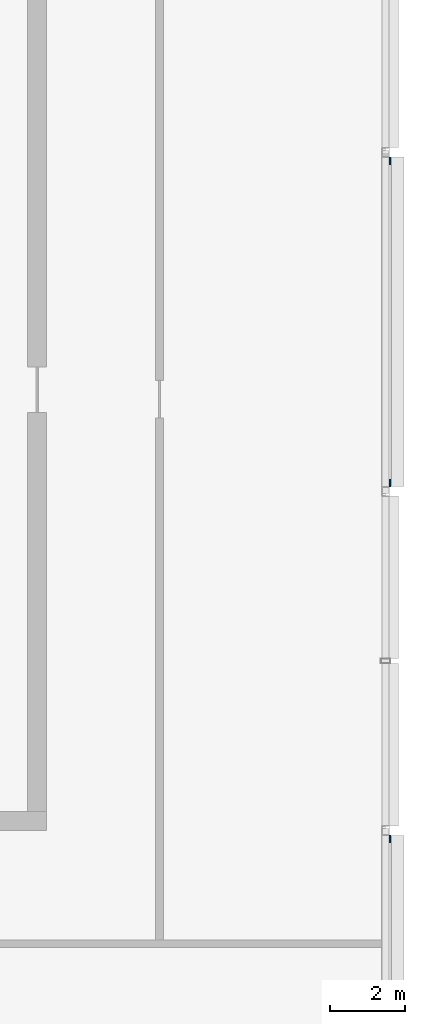
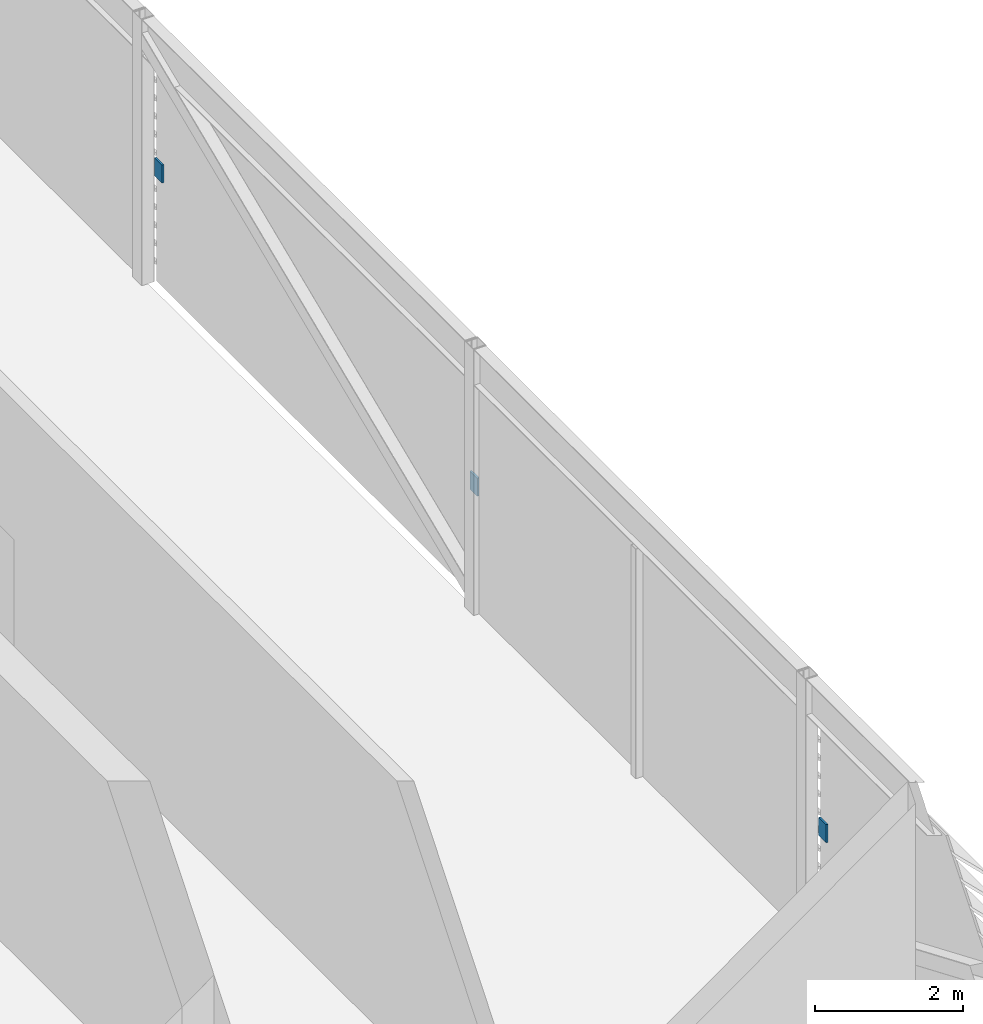
# One storey, part 21 of 27: 3 discrete accessories.
"""IFC4 building model written with IfcOpenShell, lengths in metres."""

import ifcopenshell
import ifcopenshell.guid

model = None  # the IFC model being written
_history = None  # IfcOwnerHistory: only IFC2X3 demands one
_inside = {}  # id of a spatial element -> (the spatial element, [elements in it])
_under = {}  # id of a project, library or spatial element -> (it, [spatial elements below it])
_declared = {}  # id of a project -> (the project, [libraries it declares])
_typed = {}  # id of a type object -> (the type object, [elements of that type])
_made_of = {}  # id of a material, layer set ... -> (it, [elements and type objects made of it])


def new_model(schema):
    """Start an empty IFC model of exactly this schema.

    Asked for "IFC4X3", IfcOpenShell would pick the latest addendum, in which some entities
    have other attributes; the version numbers below select the first issue.
    IFC2X3 requires an IfcOwnerHistory on every rooted entity: one is made here for all.
    """
    global model, _history
    if schema == "IFC4X3":
        model = ifcopenshell.file(schema_version=(4, 3, 0, 0))
    else:
        model = ifcopenshell.file(schema=schema)
    _inside.clear()
    _under.clear()
    _declared.clear()
    _typed.clear()
    _made_of.clear()
    _history = None
    if model.schema == "IFC2X3":
        org = make("IfcOrganization", Name="unknown")
        user = make(
            "IfcPersonAndOrganization",
            ThePerson=make("IfcPerson", FamilyName="unknown"),
            TheOrganization=org,
        )
        app = make(
            "IfcApplication",
            ApplicationDeveloper=org,
            Version="unknown",
            ApplicationFullName="unknown",
            ApplicationIdentifier="unknown",
        )
        _history = make(
            "IfcOwnerHistory",
            OwningUser=user,
            OwningApplication=app,
            ChangeAction="ADDED",
            CreationDate=0,
        )
    return model


def make(cls, **values):
    """One entity of the class cls with the attributes given. An attribute that is None is left unset."""
    return model.create_entity(
        cls, **{name: value for name, value in values.items() if value is not None}
    )


def rooted(cls, **values):
    """An entity with a GlobalId (a new one), such as an element, a storey or a relation."""
    return make(cls, GlobalId=ifcopenshell.guid.new(), OwnerHistory=_history, **values)


def si_unit(unit_type, name, prefix=None):
    """IfcSIUnit, for example si_unit("LENGTHUNIT", "METRE", prefix="MILLI")."""
    return make("IfcSIUnit", UnitType=unit_type, Prefix=prefix, Name=name)


def assignment(units):
    """IfcUnitAssignment: the units of a project."""
    return None if units is None else make("IfcUnitAssignment", Units=units)


def point(xyz):
    """IfcCartesianPoint."""
    return None if xyz is None else make("IfcCartesianPoint", Coordinates=xyz)


def direction(xyz):
    """IfcDirection."""
    return None if xyz is None else make("IfcDirection", DirectionRatios=xyz)


def frame(location, z_axis=None, x_axis=None):
    """IfcAxis2Placement3D, a coordinate frame: its origin and axes. An axis left out is left unset."""
    return make(
        "IfcAxis2Placement3D",
        Location=point(location),
        Axis=direction(z_axis),
        RefDirection=direction(x_axis),
    )


def frame_2d(location, x_axis=None):
    """IfcAxis2Placement2D, a coordinate frame in the plane: its origin and x axis."""
    return make(
        "IfcAxis2Placement2D", Location=point(location), RefDirection=direction(x_axis)
    )


def origin():
    """The frame at (0, 0, 0) with its axes left unset."""
    return frame((0.0, 0.0, 0.0))


def origin_2d():
    """The frame at (0, 0) in the plane with its x axis left unset."""
    return frame_2d((0.0, 0.0))


def place(relative_to, where):
    """IfcLocalPlacement: puts the frame where relative to a parent placement (None: the world)."""
    return make(
        "IfcLocalPlacement", PlacementRelTo=relative_to, RelativePlacement=where
    )


def context(
    kind, dimensions, precision=None, world=None, true_north=None, identifier=None
):
    """IfcGeometricRepresentationContext, for example the 3D "Model" context."""
    return make(
        "IfcGeometricRepresentationContext",
        ContextIdentifier=identifier,
        ContextType=kind,
        CoordinateSpaceDimension=dimensions,
        Precision=precision,
        WorldCoordinateSystem=world,
        TrueNorth=true_north,
    )


def subcontext(parent, identifier, kind, view, scale=None):
    """IfcGeometricRepresentationSubContext, for example "Body" below "Model"."""
    return make(
        "IfcGeometricRepresentationSubContext",
        ContextIdentifier=identifier,
        ContextType=kind,
        ParentContext=parent,
        TargetScale=scale,
        TargetView=view,
    )


def project(units=None, contexts=None):
    """IfcProject with its units and contexts."""
    return rooted(
        "IfcProject",
        Name="project",
        RepresentationContexts=contexts,
        UnitsInContext=assignment(units),
    )


def spatial(cls, under=None, at=None, **own):
    """A site, building, storey or space (cls), placed at a placement, below another one or the project."""
    s = rooted(cls, ObjectPlacement=at, **own)
    if under is not None:
        _under.setdefault(under.id(), (under, []))[1].append(s)
    return s


def profile(cls, at=None, kind="AREA", **sizes):
    """A parametric profile (cls). Its sizes go by their IFC names, for example OverallWidth=200.0."""
    return make(cls, ProfileType=kind, Position=at, **sizes)


def rectangle(**sizes):
    """IfcRectangleProfileDef."""
    return profile("IfcRectangleProfileDef", **sizes)


def extrude(swept, where, along, depth):
    """IfcExtrudedAreaSolid: the profile swept, set in the frame where, extruded along a direction by depth."""
    return make(
        "IfcExtrudedAreaSolid",
        SweptArea=swept,
        Position=where,
        ExtrudedDirection=direction(along),
        Depth=depth,
    )


def shape(context_of_items, identifier, shape_type, items):
    """IfcShapeRepresentation: the items that make up one representation, for example the "Body"."""
    return make(
        "IfcShapeRepresentation",
        ContextOfItems=context_of_items,
        RepresentationIdentifier=identifier,
        RepresentationType=shape_type,
        Items=items,
    )


def material(Name=None, Category=None):
    """IfcMaterial."""
    return make("IfcMaterial", Name=Name, Category=Category)


def made_of(thing, what):
    """Note that an element or type object is made of a material, layer set ...; save() writes the relation."""
    if what is not None:
        _made_of.setdefault(what.id(), (what, []))[1].append(thing)
    return thing


def type_object(cls, material=None, **own):
    """A type object (cls), such as IfcWallType, which elements share."""
    return made_of(rooted(cls, **own), material)


def element(
    cls,
    number,
    at=None,
    inside=None,
    cuts=None,
    type_object=None,
    material=None,
    context=None,
    identifier="Body",
    shape_type=None,
    held_by="IfcProductDefinitionShape",
    body=None,
    shapes=None,
    **own,
):
    """One element of the class cls, such as IfcWall. Its Tag is "e" and its number.

    at: its placement. inside: the storey or other place that contains it. cuts: it is an
    opening in that element (IfcRelVoidsElement). A single representation is given by context,
    identifier, shape_type and body (its items); several are given by shapes. held_by: the class
    of the entity that holds the representations. save() writes the other relations.
    """
    e = rooted(cls, Tag="e%d" % number, ObjectPlacement=at, **own)
    if body is not None:
        shapes = [shape(context, identifier, shape_type, body)]
    if shapes is not None:
        e.Representation = make(held_by, Representations=shapes)
    if inside is not None:
        _inside.setdefault(inside.id(), (inside, []))[1].append(e)
    if cuts is not None:
        rooted(
            "IfcRelVoidsElement", RelatingBuildingElement=cuts, RelatedOpeningElement=e
        )
    if type_object is not None:
        _typed.setdefault(type_object.id(), (type_object, []))[1].append(e)
    return made_of(e, material)


def aggregate(whole, parts):
    """IfcRelAggregates: a whole, such as a stair, and the parts it consists of."""
    return rooted("IfcRelAggregates", RelatingObject=whole, RelatedObjects=parts)


def save(model, path):
    """Write the relations noted so far, then the file.

    IfcRelAggregates (storeys below a building ...), IfcRelContainedInSpatialStructure (elements
    in a storey), IfcRelDefinesByType, IfcRelAssociatesMaterial and IfcRelDeclares: one each for
    every whole, place, type object, material and project.
    """
    for whole, parts in _under.values():
        aggregate(whole, parts)
    for where, things in _inside.values():
        rooted(
            "IfcRelContainedInSpatialStructure",
            RelatedElements=things,
            RelatingStructure=where,
        )
    for kind, things in _typed.values():
        rooted("IfcRelDefinesByType", RelatedObjects=things, RelatingType=kind)
    for what, things in _made_of.values():
        rooted("IfcRelAssociatesMaterial", RelatedObjects=things, RelatingMaterial=what)
    for by, libraries in _declared.values():
        rooted("IfcRelDeclares", RelatingContext=by, RelatedDefinitions=libraries)
    model.write(path)


model = new_model("IFC4")

# Units and contexts
model_context = context("Model", 3, precision=1e-05, world=origin(), true_north=direction((0.0, 1.0)))
body_context = subcontext(model_context, "Body", "Model", "MODEL_VIEW")
ifc_project = project(units=[si_unit("LENGTHUNIT", "METRE"), si_unit("AREAUNIT", "SQUARE_METRE"), si_unit("VOLUMEUNIT", "CUBIC_METRE"), si_unit("PLANEANGLEUNIT", "RADIAN"), si_unit("MASSUNIT", "GRAM", prefix="KILO")], contexts=[model_context])

# Site, building, storey
site_placement = place(None, origin())
site = spatial("IfcSite", under=ifc_project, at=site_placement, CompositionType="ELEMENT")
building_placement = place(site_placement, origin())
building = spatial("IfcBuilding", under=site, at=building_placement, Name="Madar Terraces", CompositionType="ELEMENT")
storey_placement = place(building_placement, frame((0.0, 0.0, 301.10009765625)))
storey = spatial("IfcBuildingStorey", under=building, at=storey_placement, Name="L78", CompositionType="ELEMENT", Elevation=301.10009765625)

# Discrete accessories
ifc_material = material(Name="Steel, galvanised", Category="steel")
discrete_accessory_type = type_object("IfcDiscreteAccessoryType", Name="Louvre bank bracket", PredefinedType="BRACKET", material=ifc_material)
for number, where, z_axis, x_axis, name in (
    (1, (56.5166015625, 14.77294921875, 1.7490234375), (0.0, 0.0, 1.0), (0.0, 1.0, 0.0), "Louvre bank bracket"),
    (2, (56.5166015625, 24.22705078125, 1.7490234375), (0.0, 0.0, 1.0), (0.0, 1.0, 0.0), "Louvre bank bracket"),
    (3, (56.5166015625, 32.77294921875, 1.7490234375), (0.0, 0.0, 1.0), (0.0, 1.0, 0.0), "Louvre bank bracket"),
):
    element("IfcDiscreteAccessory", number, at=place(storey_placement, frame(where, z_axis=z_axis, x_axis=x_axis)), inside=storey, type_object=discrete_accessory_type, Name=name, PredefinedType="BRACKET", context=body_context, shape_type="SweptSolid", body=[
        extrude(rectangle(XDim=0.199951171875, YDim=0.030029296875, at=origin_2d()), origin(), (0.0, 0.0, 1.0), 0.300048828125),
    ])

save(model, "model.ifc")
